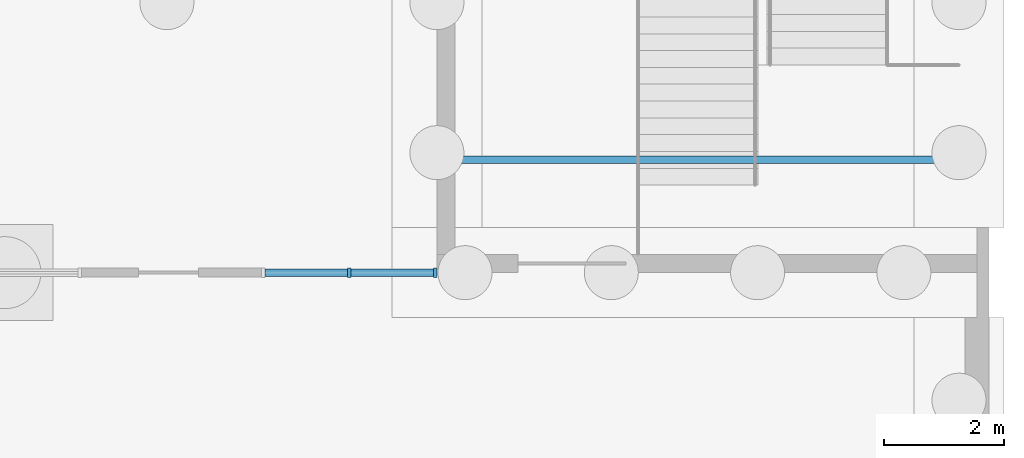
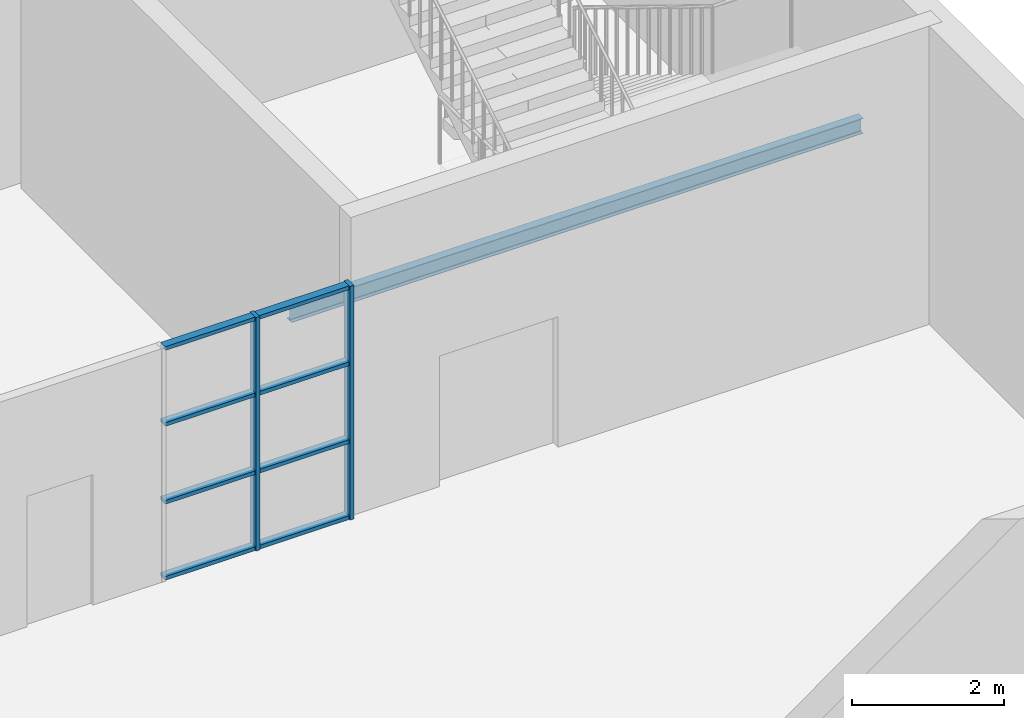
# One storey, part 9 of 17: 10 members, 1 beam, 1 element without a shape of its own.
"""IFC4 building model written with IfcOpenShell, lengths in metres."""

from ifc_helpers import new_model, si_unit, direction, frame, origin, origin_2d, place, context, subcontext, project, spatial, rectangle, i_section, extrude, material, layer, layer_set, material_profile, profile_set, type_object, element, aggregate, save


model = new_model("IFC4")

# Units and contexts
model_context = context("Model", 3, precision=1e-05, world=origin(), true_north=direction((0.0, 1.0)))
body_context = subcontext(model_context, "Body", "Model", "MODEL_VIEW")
ifc_project = project(units=[si_unit("LENGTHUNIT", "METRE"), si_unit("AREAUNIT", "SQUARE_METRE"), si_unit("VOLUMEUNIT", "CUBIC_METRE"), si_unit("PLANEANGLEUNIT", "RADIAN"), si_unit("MASSUNIT", "GRAM", prefix="KILO")], contexts=[model_context])

# Site, building, storey
site_placement = place(None, origin())
site = spatial("IfcSite", under=ifc_project, at=site_placement, CompositionType="ELEMENT")
building_placement = place(site_placement, origin())
building = spatial("IfcBuilding", under=site, at=building_placement, Name="Halyard Row Museum", CompositionType="ELEMENT")
storey_placement = place(building_placement, frame((0.0, 0.0, -9.60009765625)))
storey = spatial("IfcBuildingStorey", under=building, at=storey_placement, Name="B2", CompositionType="ELEMENT", Elevation=-9.60009765625)

# Curtain wall, members
ifc_material_1 = material(Name="Fire-resisting laminated glazing", Category="glass")
ifc_layer = layer(ifc_material_1, 0.159912109375)
ifc_layer_set = layer_set([ifc_layer], Name="Fire-resisting laminated glazing")
curtain_wall_type = type_object("IfcCurtainWallType", Name="Curtain wall atrium screen 160 deep", PredefinedType="NOTDEFINED", material=ifc_layer_set)
curtain_wall_placement = place(storey_placement, origin())
curtain_wall = element("IfcCurtainWall", 1, at=curtain_wall_placement, inside=storey, type_object=curtain_wall_type, Name="Curtain wall CW117", PredefinedType="NOTDEFINED")
ifc_material_2 = material(Name="Powder-coated aluminium section", Category="aluminium")
ifc_material_profile_1 = material_profile(ifc_material_2, rectangle(XDim=0.159912109375, YDim=0.06005859375, at=origin_2d()), Name="160x60 mullion")
ifc_profile_set_1 = profile_set([ifc_material_profile_1], Name="Powder-coated aluminium section")
member_type_1 = type_object("IfcMemberType", Name="Curtain wall mullion CM5 60 x 160", PredefinedType="MULLION", material=ifc_profile_set_1)
member_1_placement = place(storey_placement, frame((97.538818359375, 54.0, 0.0), z_axis=(0.0, 0.0, 1.0), x_axis=(0.0, 1.0, 0.0)))
member_1 = element("IfcMember", 2, at=member_1_placement, type_object=member_type_1, Name="CW117 mullion 2", PredefinedType="MULLION", context=body_context, shape_type="SweptSolid", body=[
    extrude(rectangle(XDim=0.159912109375, YDim=0.06005859375, at=origin_2d()), origin(), (0.0, 0.0, 1.0), 3.758056640625),
])
member_2_placement = place(storey_placement, frame((98.969970703125, 54.0, 0.0), z_axis=(0.0, 0.0, 1.0), x_axis=(0.0, 1.0, 0.0)))
member_2 = element("IfcMember", 3, at=member_2_placement, type_object=member_type_1, Name="CW117 mullion 3", PredefinedType="MULLION", context=body_context, shape_type="SweptSolid", body=[
    extrude(rectangle(XDim=0.159912109375, YDim=0.06005859375, at=origin_2d()), origin(), (0.0, 0.0, 1.0), 3.758056640625),
])
ifc_material_3 = material(Name="Powder-coated aluminium section", Category="aluminium")
ifc_material_profile_2 = material_profile(ifc_material_3, rectangle(XDim=0.1201171875, YDim=0.06005859375, at=origin_2d()), Name="120x60 transom")
ifc_profile_set_2 = profile_set([ifc_material_profile_2], Name="Powder-coated aluminium section")
member_type_2 = type_object("IfcMemberType", Name="Curtain wall transom CT5 60 x 120", PredefinedType="USERDEFINED", material=ifc_profile_set_2)
member_3_placement = place(storey_placement, frame((96.1376953125, 54.0, 0.030029296875), z_axis=(1.0, 0.0, 0.0), x_axis=(0.0, 1.0, 0.0)))
member_3 = element("IfcMember", 4, at=member_3_placement, type_object=member_type_2, Name="CW117 transom 1.1", ObjectType="TRANSOM", PredefinedType="USERDEFINED", context=body_context, shape_type="SweptSolid", body=[
    extrude(rectangle(XDim=0.1201171875, YDim=0.06005859375, at=origin_2d()), origin(), (0.0, 0.0, 1.0), 1.37109375),
])
member_4_placement = place(storey_placement, frame((96.1376953125, 54.0, 1.252685546875), z_axis=(1.0, 0.0, 0.0), x_axis=(0.0, 1.0, 0.0)))
member_4 = element("IfcMember", 5, at=member_4_placement, type_object=member_type_2, Name="CW117 transom 1.2", ObjectType="TRANSOM", PredefinedType="USERDEFINED", context=body_context, shape_type="SweptSolid", body=[
    extrude(rectangle(XDim=0.1201171875, YDim=0.06005859375, at=origin_2d()), origin(), (0.0, 0.0, 1.0), 1.37109375),
])
member_5_placement = place(storey_placement, frame((96.1376953125, 54.0, 2.50537109375), z_axis=(1.0, 0.0, 0.0), x_axis=(0.0, 1.0, 0.0)))
member_5 = element("IfcMember", 6, at=member_5_placement, type_object=member_type_2, Name="CW117 transom 1.3", ObjectType="TRANSOM", PredefinedType="USERDEFINED", context=body_context, shape_type="SweptSolid", body=[
    extrude(rectangle(XDim=0.1201171875, YDim=0.06005859375, at=origin_2d()), origin(), (0.0, 0.0, 1.0), 1.37109375),
])
member_6_placement = place(storey_placement, frame((96.1376953125, 54.0, 3.72802734375), z_axis=(1.0, 0.0, 0.0), x_axis=(0.0, 1.0, 0.0)))
member_6 = element("IfcMember", 7, at=member_6_placement, type_object=member_type_2, Name="CW117 transom 1.4", ObjectType="TRANSOM", PredefinedType="USERDEFINED", context=body_context, shape_type="SweptSolid", body=[
    extrude(rectangle(XDim=0.1201171875, YDim=0.06005859375, at=origin_2d()), origin(), (0.0, 0.0, 1.0), 1.37109375),
])
member_7_placement = place(storey_placement, frame((97.56884765625, 54.0, 0.030029296875), z_axis=(1.0, 0.0, 0.0), x_axis=(0.0, 1.0, 0.0)))
member_7 = element("IfcMember", 8, at=member_7_placement, type_object=member_type_2, Name="CW117 transom 2.1", ObjectType="TRANSOM", PredefinedType="USERDEFINED", context=body_context, shape_type="SweptSolid", body=[
    extrude(rectangle(XDim=0.1201171875, YDim=0.06005859375, at=origin_2d()), origin(), (0.0, 0.0, 1.0), 1.37109375),
])
member_8_placement = place(storey_placement, frame((97.56884765625, 54.0, 1.252685546875), z_axis=(1.0, 0.0, 0.0), x_axis=(0.0, 1.0, 0.0)))
member_8 = element("IfcMember", 9, at=member_8_placement, type_object=member_type_2, Name="CW117 transom 2.2", ObjectType="TRANSOM", PredefinedType="USERDEFINED", context=body_context, shape_type="SweptSolid", body=[
    extrude(rectangle(XDim=0.1201171875, YDim=0.06005859375, at=origin_2d()), origin(), (0.0, 0.0, 1.0), 1.37109375),
])
member_9_placement = place(storey_placement, frame((97.56884765625, 54.0, 2.50537109375), z_axis=(1.0, 0.0, 0.0), x_axis=(0.0, 1.0, 0.0)))
member_9 = element("IfcMember", 10, at=member_9_placement, type_object=member_type_2, Name="CW117 transom 2.3", ObjectType="TRANSOM", PredefinedType="USERDEFINED", context=body_context, shape_type="SweptSolid", body=[
    extrude(rectangle(XDim=0.1201171875, YDim=0.06005859375, at=origin_2d()), origin(), (0.0, 0.0, 1.0), 1.37109375),
])
member_10_placement = place(storey_placement, frame((97.56884765625, 54.0, 3.72802734375), z_axis=(1.0, 0.0, 0.0), x_axis=(0.0, 1.0, 0.0)))
member_10 = element("IfcMember", 11, at=member_10_placement, type_object=member_type_2, Name="CW117 transom 2.4", ObjectType="TRANSOM", PredefinedType="USERDEFINED", context=body_context, shape_type="SweptSolid", body=[
    extrude(rectangle(XDim=0.1201171875, YDim=0.06005859375, at=origin_2d()), origin(), (0.0, 0.0, 1.0), 1.37109375),
])
aggregate(curtain_wall, [member_1, member_2, member_3, member_4, member_5, member_6, member_7, member_8, member_9, member_10])

# Beam
ifc_material_4 = material(Name="Steel Grade 300", Category="steel")
ifc_material_profile_3 = material_profile(ifc_material_4, i_section(OverallWidth=0.1240234375, OverallDepth=0.248046875, WebThickness=0.0048828125, FlangeThickness=0.008056640625, FilletRadius=0.011962890625, at=origin_2d()), Name="250UB25.7")
ifc_profile_set_3 = profile_set([ifc_material_profile_3], Name="Steel Grade 300")
beam_type = type_object("IfcBeamType", Name="Landing trimmer 250UB25.7", PredefinedType="BEAM", material=ifc_profile_set_3)
beam_placement = place(storey_placement, frame((107.85009765625, 55.8798828125, 2.076171875), z_axis=(-1.0, 0.0, 0.0), x_axis=(0.0, -1.0, 0.0)))
element("IfcBeam", 12, at=beam_placement, inside=storey, type_object=beam_type, Name="Landing trimmer K5B B2 1", PredefinedType="BEAM", context=body_context, shape_type="SweptSolid", body=[
    extrude(i_section(OverallWidth=0.1240234375, OverallDepth=0.248046875, WebThickness=0.0048828125, FlangeThickness=0.008056640625, FilletRadius=0.011962890625, at=origin_2d()), origin(), (0.0, 0.0, 1.0), 8.7001953125),
])

save(model, "model.ifc")
